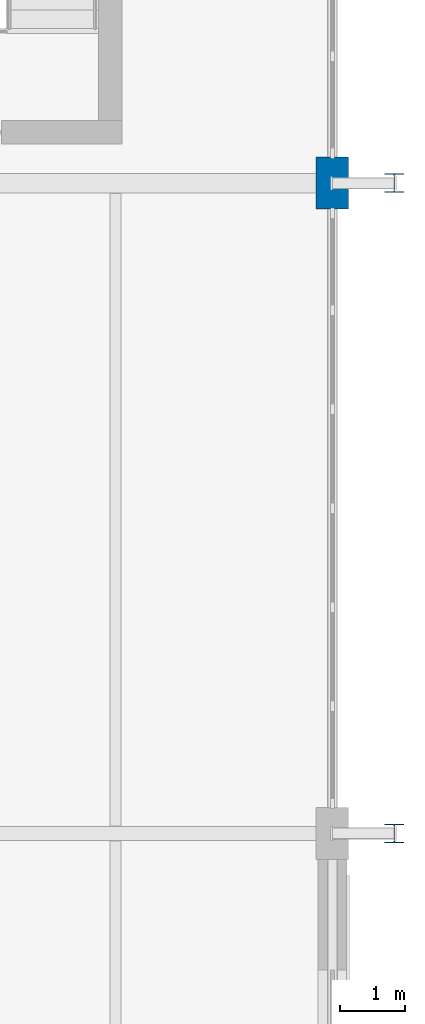
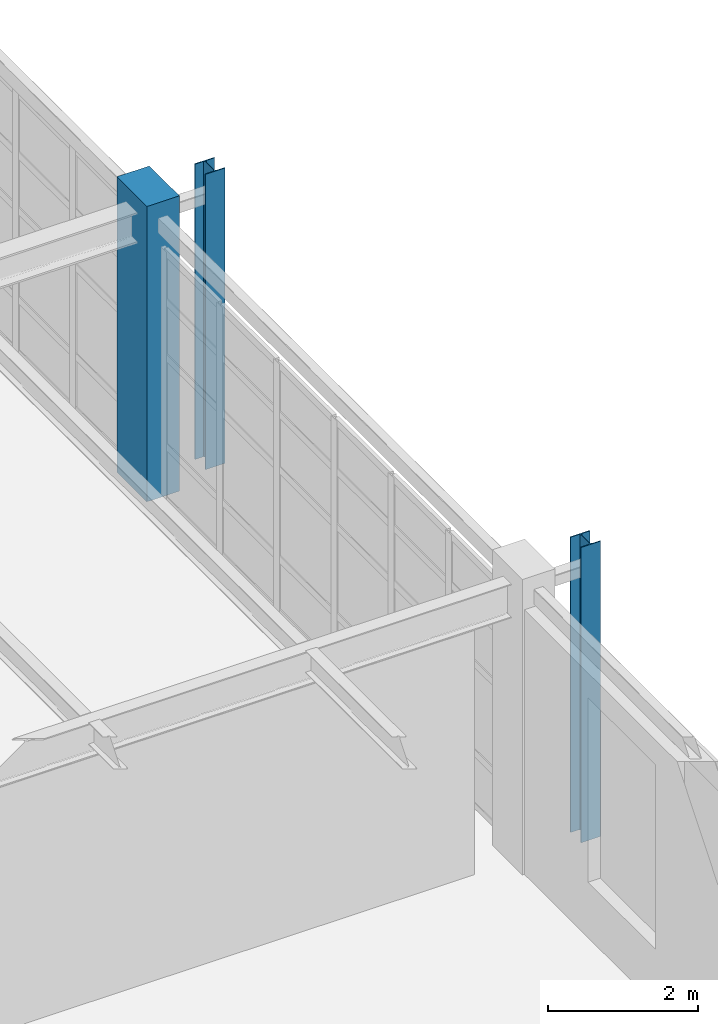
# One storey, part 18 of 139: 3 columns.
"""IFC4 building model written with IfcOpenShell, lengths in metres."""

from ifc_helpers import new_model, si_unit, direction, frame, origin, origin_2d, place, context, subcontext, project, spatial, rectangle, i_section, extrude, material, material_profile, profile_set, type_object, element, save


model = new_model("IFC4")

# Units and contexts
model_context = context("Model", 3, precision=1e-05, world=origin(), true_north=direction((0.0, 1.0)))
body_context = subcontext(model_context, "Body", "Model", "MODEL_VIEW")
ifc_project = project(units=[si_unit("LENGTHUNIT", "METRE"), si_unit("AREAUNIT", "SQUARE_METRE"), si_unit("VOLUMEUNIT", "CUBIC_METRE"), si_unit("PLANEANGLEUNIT", "RADIAN"), si_unit("MASSUNIT", "GRAM", prefix="KILO"), si_unit("THERMODYNAMICTEMPERATUREUNIT", "KELVIN"), si_unit("POWERUNIT", "WATT")], contexts=[model_context])

# Site, building, storey
site_placement = place(None, origin())
site = spatial("IfcSite", under=ifc_project, at=site_placement, CompositionType="ELEMENT")
building_placement = place(site_placement, origin())
building = spatial("IfcBuilding", under=site, at=building_placement, Name="Korenveer Ferry Terminal", CompositionType="ELEMENT")
storey_placement = place(building_placement, frame((0.0, 0.0, 5.39990234375)))
storey = spatial("IfcBuildingStorey", under=building, at=storey_placement, Name="L01", CompositionType="ELEMENT", Elevation=5.39990234375)

# Columns
ifc_material_1 = material(Name="Concrete C45/55", Category="concrete")
ifc_material_profile_1 = material_profile(ifc_material_1, rectangle(XDim=0.5, YDim=0.800048828125, at=origin_2d()), Name="RC 500x800")
ifc_profile_set_1 = profile_set([ifc_material_profile_1], Name="Concrete C45/55")
column_type_1 = type_object("IfcColumnType", Name="STR-COL-RC500X800", PredefinedType="COLUMN", material=ifc_profile_set_1)
column_placement = place(storey_placement, frame((176.0, 30.0, 0.0), z_axis=(0.0, 0.0, 1.0), x_axis=(1.0, 0.0, 0.0)))
element("IfcColumn", 1, at=column_placement, inside=storey, type_object=column_type_1, Name="Column COL-L01-X176-Y30", PredefinedType="COLUMN", context=body_context, shape_type="SweptSolid", body=[
    extrude(rectangle(XDim=0.5, YDim=0.800048828125, at=origin_2d()), origin(), (0.0, 0.0, 1.0), 4.800048828125),
])
ifc_material_2 = material(Name="Steel S355", Category="steel")
ifc_material_profile_2 = material_profile(ifc_material_2, i_section(OverallWidth=0.300048828125, OverallDepth=0.2900390625, WebThickness=0.008544921875, FlangeThickness=0.013916015625, FilletRadius=0.027099609375, at=origin_2d()), Name="HEA 300")
ifc_profile_set_2 = profile_set([ifc_material_profile_2], Name="Steel S355")
column_type_2 = type_object("IfcColumnType", Name="STR-PIL-BRICK450", PredefinedType="PILASTER", material=ifc_profile_set_2)
for number, where, z_axis, x_axis, name in (
    (2, (176.949951171875, 20.0, 0.0), (0.0, 0.0, 1.0), (1.0, 0.0, 0.0), "Buttress pilaster 20"),
    (3, (176.949951171875, 30.0, 0.0), (0.0, 0.0, 1.0), (1.0, 0.0, 0.0), "Buttress pilaster 23"),
):
    element("IfcColumn", number, at=place(storey_placement, frame(where, z_axis=z_axis, x_axis=x_axis)), inside=storey, type_object=column_type_2, Name=name, PredefinedType="PILASTER", context=body_context, shape_type="SweptSolid", body=[
        extrude(i_section(OverallWidth=0.300048828125, OverallDepth=0.2900390625, WebThickness=0.008544921875, FlangeThickness=0.013916015625, FilletRadius=0.027099609375, at=origin_2d()), origin(), (0.0, 0.0, 1.0), 4.800048828125),
    ])

save(model, "model.ifc")
